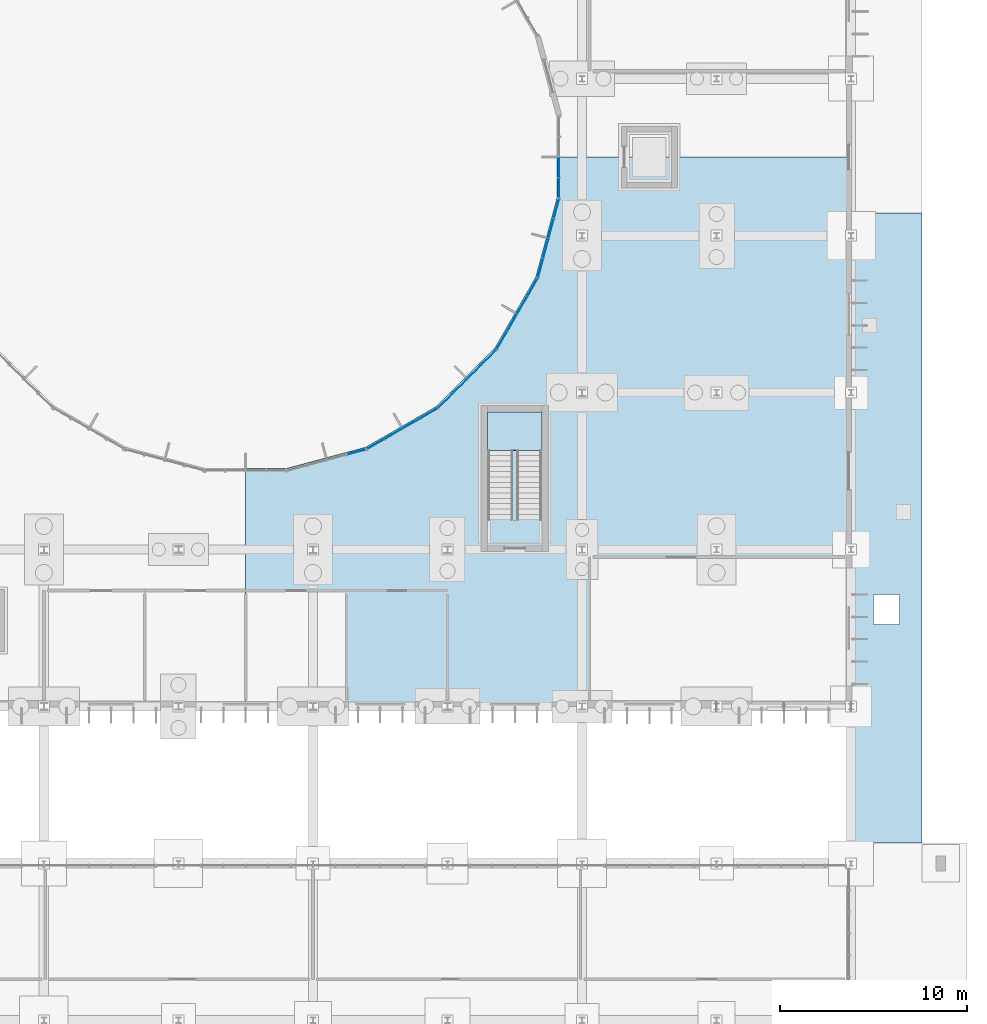
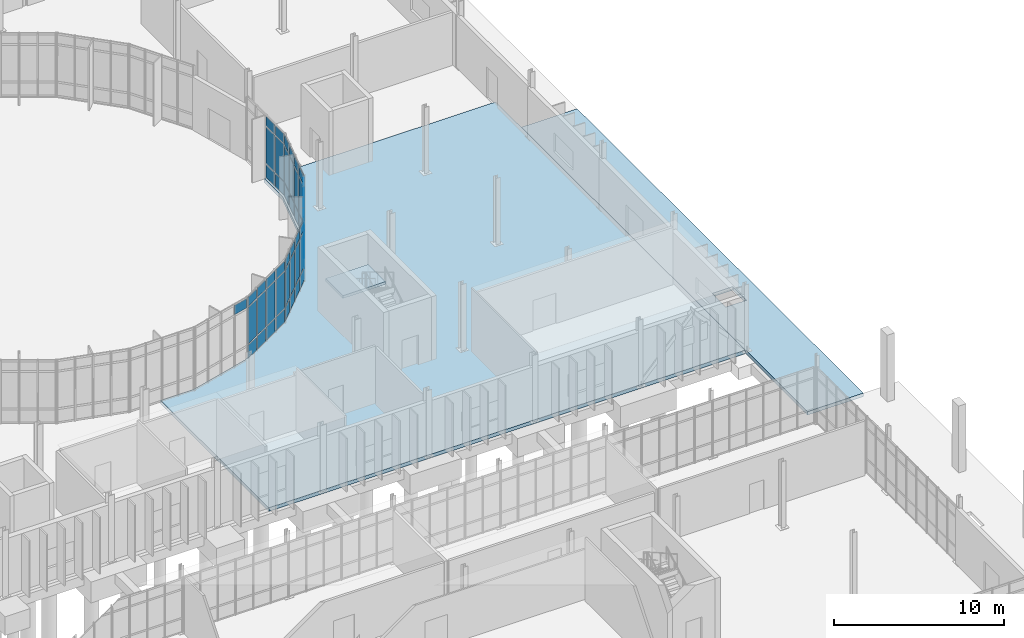
# One storey, part 69 of 118: 55 plates, 3 slabs, 7 elements without a shape of their own.
"""IFC4 building model written with IfcOpenShell, lengths in metres."""

from ifc_helpers import new_model, si_unit, direction, frame, origin, origin_2d, place, context, subcontext, project, spatial, polyline, rectangle, outline, extrude, material, layer, layer_set, type_object, element, aggregate, save


model = new_model("IFC4")

# Units and contexts
model_context = context("Model", 3, precision=1e-05, world=origin(), true_north=direction((0.0, 1.0)))
body_context = subcontext(model_context, "Body", "Model", "MODEL_VIEW")
ifc_project = project(units=[si_unit("LENGTHUNIT", "METRE"), si_unit("AREAUNIT", "SQUARE_METRE"), si_unit("VOLUMEUNIT", "CUBIC_METRE"), si_unit("PLANEANGLEUNIT", "RADIAN"), si_unit("MASSUNIT", "GRAM", prefix="KILO")], contexts=[model_context])

# Site, building, storey
site_placement = place(None, origin())
site = spatial("IfcSite", under=ifc_project, at=site_placement, CompositionType="ELEMENT")
building_placement = place(site_placement, origin())
building = spatial("IfcBuilding", under=site, at=building_placement, Name="Qelthora Terrace Specialist Clinic", CompositionType="ELEMENT")
storey_placement = place(building_placement, origin())
storey = spatial("IfcBuildingStorey", under=building, at=storey_placement, Name="L00", CompositionType="ELEMENT", Elevation=0.0)

# Curtain wall, plate
ifc_material_1 = material(Name="Aluminium anodized bronze", Category="aluminium")
curtain_wall_type = type_object("IfcCurtainWallType", Name="CW-CRTE-L00", PredefinedType="NOTDEFINED", material=ifc_material_1)
curtain_wall_1_placement = place(storey_placement, origin())
curtain_wall_1 = element("IfcCurtainWall", 1, at=curtain_wall_1_placement, inside=storey, type_object=curtain_wall_type, Name="Curtain wall CW-CE-L00-19", PredefinedType="NOTDEFINED")
ifc_material_2 = material(Name="Low-E triple-silver insulating glass", Category="glass")
ifc_layer_1 = layer(ifc_material_2, 0.035888671875)
ifc_layer_set_1 = layer_set([ifc_layer_1], Name="Low-E triple-silver insulating glass")
plate_type = type_object("IfcPlateType", Name="CWP-IGU-36", PredefinedType="CURTAIN_PANEL", material=ifc_layer_set_1)
plate_1_placement = place(storey_placement, frame((131.9306640625, 47.220947265625, 3.7900390625), z_axis=(0.0, 0.0, 1.0), x_axis=(0.965925826289, 0.258819045103, 0.0)))
plate_1 = element("IfcPlate", 2, at=plate_1_placement, type_object=plate_type, Name="CW-CE-L00-19 glazed panel 12", PredefinedType="CURTAIN_PANEL", context=body_context, shape_type="SweptSolid", body=[
    extrude(rectangle(XDim=0.996337890625, YDim=0.035888671875, at=origin_2d()), origin(), (0.0, 0.0, 1.0), 0.669921875),
])
aggregate(curtain_wall_1, [plate_1])

# Curtain wall, plates
curtain_wall_2_placement = place(storey_placement, origin())
curtain_wall_2 = element("IfcCurtainWall", 3, at=curtain_wall_2_placement, inside=storey, type_object=curtain_wall_type, Name="Curtain wall CW-CE-L00-20", PredefinedType="NOTDEFINED")
plate_2_placement = place(storey_placement, frame((132.9638671875, 47.64892578125, 0.0849609375), z_axis=(0.0, 0.0, 1.0), x_axis=(0.866025403784, 0.5, 0.0)))
plate_2 = element("IfcPlate", 4, at=plate_2_placement, type_object=plate_type, Name="CW-CE-L00-20 glazed panel 1", PredefinedType="CURTAIN_PANEL", context=body_context, shape_type="SweptSolid", body=[
    extrude(rectangle(XDim=0.996337890625, YDim=0.035888671875, at=origin_2d()), origin(), (0.0, 0.0, 1.0), 0.919921875),
])
plate_3_placement = place(storey_placement, frame((132.9638671875, 47.64892578125, 1.094970703125), z_axis=(0.0, 0.0, 1.0), x_axis=(0.866025403784, 0.5, 0.0)))
plate_3 = element("IfcPlate", 5, at=plate_3_placement, type_object=plate_type, Name="CW-CE-L00-20 glazed panel 2", PredefinedType="CURTAIN_PANEL", context=body_context, shape_type="SweptSolid", body=[
    extrude(rectangle(XDim=0.996337890625, YDim=0.035888671875, at=origin_2d()), origin(), (0.0, 0.0, 1.0), 2.60498046875),
])
plate_4_placement = place(storey_placement, frame((132.9638671875, 47.64892578125, 3.7900390625), z_axis=(0.0, 0.0, 1.0), x_axis=(0.866025403784, 0.5, 0.0)))
plate_4 = element("IfcPlate", 6, at=plate_4_placement, type_object=plate_type, Name="CW-CE-L00-20 glazed panel 3", PredefinedType="CURTAIN_PANEL", context=body_context, shape_type="SweptSolid", body=[
    extrude(rectangle(XDim=0.996337890625, YDim=0.035888671875, at=origin_2d()), origin(), (0.0, 0.0, 1.0), 0.669921875),
])
plate_5_placement = place(storey_placement, frame((133.913330078125, 48.197265625, 0.0849609375), z_axis=(0.0, 0.0, 1.0), x_axis=(0.866025403784, 0.5, 0.0)))
plate_5 = element("IfcPlate", 7, at=plate_5_placement, type_object=plate_type, Name="CW-CE-L00-20 glazed panel 4", PredefinedType="CURTAIN_PANEL", context=body_context, shape_type="SweptSolid", body=[
    extrude(rectangle(XDim=0.996337890625, YDim=0.035888671875, at=origin_2d()), origin(), (0.0, 0.0, 1.0), 0.919921875),
])
plate_6_placement = place(storey_placement, frame((133.913330078125, 48.197265625, 1.094970703125), z_axis=(0.0, 0.0, 1.0), x_axis=(0.866025403784, 0.5, 0.0)))
plate_6 = element("IfcPlate", 8, at=plate_6_placement, type_object=plate_type, Name="CW-CE-L00-20 glazed panel 5", PredefinedType="CURTAIN_PANEL", context=body_context, shape_type="SweptSolid", body=[
    extrude(rectangle(XDim=0.996337890625, YDim=0.035888671875, at=origin_2d()), origin(), (0.0, 0.0, 1.0), 2.60498046875),
])
plate_7_placement = place(storey_placement, frame((133.913330078125, 48.197265625, 3.7900390625), z_axis=(0.0, 0.0, 1.0), x_axis=(0.866025403784, 0.5, 0.0)))
plate_7 = element("IfcPlate", 9, at=plate_7_placement, type_object=plate_type, Name="CW-CE-L00-20 glazed panel 6", PredefinedType="CURTAIN_PANEL", context=body_context, shape_type="SweptSolid", body=[
    extrude(rectangle(XDim=0.996337890625, YDim=0.035888671875, at=origin_2d()), origin(), (0.0, 0.0, 1.0), 0.669921875),
])
plate_8_placement = place(storey_placement, frame((134.86279296875, 48.745361328125, 0.0849609375), z_axis=(0.0, 0.0, 1.0), x_axis=(0.866025403784, 0.5, 0.0)))
plate_8 = element("IfcPlate", 10, at=plate_8_placement, type_object=plate_type, Name="CW-CE-L00-20 glazed panel 7", PredefinedType="CURTAIN_PANEL", context=body_context, shape_type="SweptSolid", body=[
    extrude(rectangle(XDim=0.996337890625, YDim=0.035888671875, at=origin_2d()), origin(), (0.0, 0.0, 1.0), 0.919921875),
])
plate_9_placement = place(storey_placement, frame((134.86279296875, 48.745361328125, 1.094970703125), z_axis=(0.0, 0.0, 1.0), x_axis=(0.866025403784, 0.5, 0.0)))
plate_9 = element("IfcPlate", 11, at=plate_9_placement, type_object=plate_type, Name="CW-CE-L00-20 glazed panel 8", PredefinedType="CURTAIN_PANEL", context=body_context, shape_type="SweptSolid", body=[
    extrude(rectangle(XDim=0.996337890625, YDim=0.035888671875, at=origin_2d()), origin(), (0.0, 0.0, 1.0), 2.60498046875),
])
plate_10_placement = place(storey_placement, frame((134.86279296875, 48.745361328125, 3.7900390625), z_axis=(0.0, 0.0, 1.0), x_axis=(0.866025403784, 0.5, 0.0)))
plate_10 = element("IfcPlate", 12, at=plate_10_placement, type_object=plate_type, Name="CW-CE-L00-20 glazed panel 9", PredefinedType="CURTAIN_PANEL", context=body_context, shape_type="SweptSolid", body=[
    extrude(rectangle(XDim=0.996337890625, YDim=0.035888671875, at=origin_2d()), origin(), (0.0, 0.0, 1.0), 0.669921875),
])
plate_11_placement = place(storey_placement, frame((135.8125, 49.293701171875, 0.0849609375), z_axis=(0.0, 0.0, 1.0), x_axis=(0.866025403784, 0.5, 0.0)))
plate_11 = element("IfcPlate", 13, at=plate_11_placement, type_object=plate_type, Name="CW-CE-L00-20 glazed panel 10", PredefinedType="CURTAIN_PANEL", context=body_context, shape_type="SweptSolid", body=[
    extrude(rectangle(XDim=0.996337890625, YDim=0.035888671875, at=origin_2d()), origin(), (0.0, 0.0, 1.0), 0.919921875),
])
plate_12_placement = place(storey_placement, frame((135.8125, 49.293701171875, 1.094970703125), z_axis=(0.0, 0.0, 1.0), x_axis=(0.866025403784, 0.5, 0.0)))
plate_12 = element("IfcPlate", 14, at=plate_12_placement, type_object=plate_type, Name="CW-CE-L00-20 glazed panel 11", PredefinedType="CURTAIN_PANEL", context=body_context, shape_type="SweptSolid", body=[
    extrude(rectangle(XDim=0.996337890625, YDim=0.035888671875, at=origin_2d()), origin(), (0.0, 0.0, 1.0), 2.60498046875),
])
plate_13_placement = place(storey_placement, frame((135.8125, 49.293701171875, 3.7900390625), z_axis=(0.0, 0.0, 1.0), x_axis=(0.866025403784, 0.5, 0.0)))
plate_13 = element("IfcPlate", 15, at=plate_13_placement, type_object=plate_type, Name="CW-CE-L00-20 glazed panel 12", PredefinedType="CURTAIN_PANEL", context=body_context, shape_type="SweptSolid", body=[
    extrude(rectangle(XDim=0.996337890625, YDim=0.035888671875, at=origin_2d()), origin(), (0.0, 0.0, 1.0), 0.669921875),
])
aggregate(curtain_wall_2, [plate_2, plate_3, plate_4, plate_5, plate_6, plate_7, plate_8, plate_9, plate_10, plate_11, plate_12, plate_13])

curtain_wall_3_placement = place(storey_placement, origin())
curtain_wall_3 = element("IfcCurtainWall", 16, at=curtain_wall_3_placement, inside=storey, type_object=curtain_wall_type, Name="Curtain wall CW-CE-L00-21", PredefinedType="NOTDEFINED")
plate_14_placement = place(storey_placement, frame((136.69970703125, 49.974365234375, 0.0849609375), z_axis=(0.0, 0.0, 1.0), x_axis=(0.707106781187, 0.707106781187, 0.0)))
plate_14 = element("IfcPlate", 17, at=plate_14_placement, type_object=plate_type, Name="CW-CE-L00-21 glazed panel 1", PredefinedType="CURTAIN_PANEL", context=body_context, shape_type="SweptSolid", body=[
    extrude(rectangle(XDim=0.996337890625, YDim=0.035888671875, at=origin_2d()), origin(), (0.0, 0.0, 1.0), 0.919921875),
])
plate_15_placement = place(storey_placement, frame((136.69970703125, 49.974365234375, 1.094970703125), z_axis=(0.0, 0.0, 1.0), x_axis=(0.707106781187, 0.707106781187, 0.0)))
plate_15 = element("IfcPlate", 18, at=plate_15_placement, type_object=plate_type, Name="CW-CE-L00-21 glazed panel 2", PredefinedType="CURTAIN_PANEL", context=body_context, shape_type="SweptSolid", body=[
    extrude(rectangle(XDim=0.996337890625, YDim=0.035888671875, at=origin_2d()), origin(), (0.0, 0.0, 1.0), 2.60498046875),
])
plate_16_placement = place(storey_placement, frame((136.69970703125, 49.974365234375, 3.7900390625), z_axis=(0.0, 0.0, 1.0), x_axis=(0.707106781187, 0.707106781187, 0.0)))
plate_16 = element("IfcPlate", 19, at=plate_16_placement, type_object=plate_type, Name="CW-CE-L00-21 glazed panel 3", PredefinedType="CURTAIN_PANEL", context=body_context, shape_type="SweptSolid", body=[
    extrude(rectangle(XDim=0.996337890625, YDim=0.035888671875, at=origin_2d()), origin(), (0.0, 0.0, 1.0), 0.669921875),
])
plate_17_placement = place(storey_placement, frame((137.474853515625, 50.749755859375, 0.0849609375), z_axis=(0.0, 0.0, 1.0), x_axis=(0.707106781187, 0.707106781187, 0.0)))
plate_17 = element("IfcPlate", 20, at=plate_17_placement, type_object=plate_type, Name="CW-CE-L00-21 glazed panel 4", PredefinedType="CURTAIN_PANEL", context=body_context, shape_type="SweptSolid", body=[
    extrude(rectangle(XDim=0.996337890625, YDim=0.035888671875, at=origin_2d()), origin(), (0.0, 0.0, 1.0), 0.919921875),
])
plate_18_placement = place(storey_placement, frame((137.474853515625, 50.749755859375, 1.094970703125), z_axis=(0.0, 0.0, 1.0), x_axis=(0.707106781187, 0.707106781187, 0.0)))
plate_18 = element("IfcPlate", 21, at=plate_18_placement, type_object=plate_type, Name="CW-CE-L00-21 glazed panel 5", PredefinedType="CURTAIN_PANEL", context=body_context, shape_type="SweptSolid", body=[
    extrude(rectangle(XDim=0.996337890625, YDim=0.035888671875, at=origin_2d()), origin(), (0.0, 0.0, 1.0), 2.60498046875),
])
plate_19_placement = place(storey_placement, frame((137.474853515625, 50.749755859375, 3.7900390625), z_axis=(0.0, 0.0, 1.0), x_axis=(0.707106781187, 0.707106781187, 0.0)))
plate_19 = element("IfcPlate", 22, at=plate_19_placement, type_object=plate_type, Name="CW-CE-L00-21 glazed panel 6", PredefinedType="CURTAIN_PANEL", context=body_context, shape_type="SweptSolid", body=[
    extrude(rectangle(XDim=0.996337890625, YDim=0.035888671875, at=origin_2d()), origin(), (0.0, 0.0, 1.0), 0.669921875),
])
plate_20_placement = place(storey_placement, frame((138.250244140625, 51.525146484375, 0.0849609375), z_axis=(0.0, 0.0, 1.0), x_axis=(0.707106781187, 0.707106781187, 0.0)))
plate_20 = element("IfcPlate", 23, at=plate_20_placement, type_object=plate_type, Name="CW-CE-L00-21 glazed panel 7", PredefinedType="CURTAIN_PANEL", context=body_context, shape_type="SweptSolid", body=[
    extrude(rectangle(XDim=0.996337890625, YDim=0.035888671875, at=origin_2d()), origin(), (0.0, 0.0, 1.0), 0.919921875),
])
plate_21_placement = place(storey_placement, frame((138.250244140625, 51.525146484375, 1.094970703125), z_axis=(0.0, 0.0, 1.0), x_axis=(0.707106781187, 0.707106781187, 0.0)))
plate_21 = element("IfcPlate", 24, at=plate_21_placement, type_object=plate_type, Name="CW-CE-L00-21 glazed panel 8", PredefinedType="CURTAIN_PANEL", context=body_context, shape_type="SweptSolid", body=[
    extrude(rectangle(XDim=0.996337890625, YDim=0.035888671875, at=origin_2d()), origin(), (0.0, 0.0, 1.0), 2.60498046875),
])
plate_22_placement = place(storey_placement, frame((138.250244140625, 51.525146484375, 3.7900390625), z_axis=(0.0, 0.0, 1.0), x_axis=(0.707106781187, 0.707106781187, 0.0)))
plate_22 = element("IfcPlate", 25, at=plate_22_placement, type_object=plate_type, Name="CW-CE-L00-21 glazed panel 9", PredefinedType="CURTAIN_PANEL", context=body_context, shape_type="SweptSolid", body=[
    extrude(rectangle(XDim=0.996337890625, YDim=0.035888671875, at=origin_2d()), origin(), (0.0, 0.0, 1.0), 0.669921875),
])
plate_23_placement = place(storey_placement, frame((139.025634765625, 52.30029296875, 0.0849609375), z_axis=(0.0, 0.0, 1.0), x_axis=(0.707106781187, 0.707106781187, 0.0)))
plate_23 = element("IfcPlate", 26, at=plate_23_placement, type_object=plate_type, Name="CW-CE-L00-21 glazed panel 10", PredefinedType="CURTAIN_PANEL", context=body_context, shape_type="SweptSolid", body=[
    extrude(rectangle(XDim=0.996337890625, YDim=0.035888671875, at=origin_2d()), origin(), (0.0, 0.0, 1.0), 0.919921875),
])
plate_24_placement = place(storey_placement, frame((139.025634765625, 52.30029296875, 1.094970703125), z_axis=(0.0, 0.0, 1.0), x_axis=(0.707106781187, 0.707106781187, 0.0)))
plate_24 = element("IfcPlate", 27, at=plate_24_placement, type_object=plate_type, Name="CW-CE-L00-21 glazed panel 11", PredefinedType="CURTAIN_PANEL", context=body_context, shape_type="SweptSolid", body=[
    extrude(rectangle(XDim=0.996337890625, YDim=0.035888671875, at=origin_2d()), origin(), (0.0, 0.0, 1.0), 2.60498046875),
])
plate_25_placement = place(storey_placement, frame((139.025634765625, 52.30029296875, 3.7900390625), z_axis=(0.0, 0.0, 1.0), x_axis=(0.707106781187, 0.707106781187, 0.0)))
plate_25 = element("IfcPlate", 28, at=plate_25_placement, type_object=plate_type, Name="CW-CE-L00-21 glazed panel 12", PredefinedType="CURTAIN_PANEL", context=body_context, shape_type="SweptSolid", body=[
    extrude(rectangle(XDim=0.996337890625, YDim=0.035888671875, at=origin_2d()), origin(), (0.0, 0.0, 1.0), 0.669921875),
])
aggregate(curtain_wall_3, [plate_14, plate_15, plate_16, plate_17, plate_18, plate_19, plate_20, plate_21, plate_22, plate_23, plate_24, plate_25])

curtain_wall_4_placement = place(storey_placement, origin())
curtain_wall_4 = element("IfcCurtainWall", 29, at=curtain_wall_4_placement, inside=storey, type_object=curtain_wall_type, Name="Curtain wall CW-CE-L00-22", PredefinedType="NOTDEFINED")
plate_26_placement = place(storey_placement, frame((139.706298828125, 53.1875, 0.0849609375), z_axis=(0.0, 0.0, 1.0), x_axis=(0.5, 0.866025403784, 0.0)))
plate_26 = element("IfcPlate", 30, at=plate_26_placement, type_object=plate_type, Name="CW-CE-L00-22 glazed panel 1", PredefinedType="CURTAIN_PANEL", context=body_context, shape_type="SweptSolid", body=[
    extrude(rectangle(XDim=0.996337890625, YDim=0.035888671875, at=origin_2d()), origin(), (0.0, 0.0, 1.0), 0.919921875),
])
plate_27_placement = place(storey_placement, frame((139.706298828125, 53.1875, 1.094970703125), z_axis=(0.0, 0.0, 1.0), x_axis=(0.5, 0.866025403784, 0.0)))
plate_27 = element("IfcPlate", 31, at=plate_27_placement, type_object=plate_type, Name="CW-CE-L00-22 glazed panel 2", PredefinedType="CURTAIN_PANEL", context=body_context, shape_type="SweptSolid", body=[
    extrude(rectangle(XDim=0.996337890625, YDim=0.035888671875, at=origin_2d()), origin(), (0.0, 0.0, 1.0), 2.60498046875),
])
plate_28_placement = place(storey_placement, frame((139.706298828125, 53.1875, 3.7900390625), z_axis=(0.0, 0.0, 1.0), x_axis=(0.5, 0.866025403784, 0.0)))
plate_28 = element("IfcPlate", 32, at=plate_28_placement, type_object=plate_type, Name="CW-CE-L00-22 glazed panel 3", PredefinedType="CURTAIN_PANEL", context=body_context, shape_type="SweptSolid", body=[
    extrude(rectangle(XDim=0.996337890625, YDim=0.035888671875, at=origin_2d()), origin(), (0.0, 0.0, 1.0), 0.669921875),
])
plate_29_placement = place(storey_placement, frame((140.254638671875, 54.13720703125, 0.0849609375), z_axis=(0.0, 0.0, 1.0), x_axis=(0.5, 0.866025403784, 0.0)))
plate_29 = element("IfcPlate", 33, at=plate_29_placement, type_object=plate_type, Name="CW-CE-L00-22 glazed panel 4", PredefinedType="CURTAIN_PANEL", context=body_context, shape_type="SweptSolid", body=[
    extrude(rectangle(XDim=0.996337890625, YDim=0.035888671875, at=origin_2d()), origin(), (0.0, 0.0, 1.0), 0.919921875),
])
plate_30_placement = place(storey_placement, frame((140.254638671875, 54.13720703125, 1.094970703125), z_axis=(0.0, 0.0, 1.0), x_axis=(0.5, 0.866025403784, 0.0)))
plate_30 = element("IfcPlate", 34, at=plate_30_placement, type_object=plate_type, Name="CW-CE-L00-22 glazed panel 5", PredefinedType="CURTAIN_PANEL", context=body_context, shape_type="SweptSolid", body=[
    extrude(rectangle(XDim=0.996337890625, YDim=0.035888671875, at=origin_2d()), origin(), (0.0, 0.0, 1.0), 2.60498046875),
])
plate_31_placement = place(storey_placement, frame((140.254638671875, 54.13720703125, 3.7900390625), z_axis=(0.0, 0.0, 1.0), x_axis=(0.5, 0.866025403784, 0.0)))
plate_31 = element("IfcPlate", 35, at=plate_31_placement, type_object=plate_type, Name="CW-CE-L00-22 glazed panel 6", PredefinedType="CURTAIN_PANEL", context=body_context, shape_type="SweptSolid", body=[
    extrude(rectangle(XDim=0.996337890625, YDim=0.035888671875, at=origin_2d()), origin(), (0.0, 0.0, 1.0), 0.669921875),
])
plate_32_placement = place(storey_placement, frame((140.802734375, 55.086669921875, 0.0849609375), z_axis=(0.0, 0.0, 1.0), x_axis=(0.5, 0.866025403784, 0.0)))
plate_32 = element("IfcPlate", 36, at=plate_32_placement, type_object=plate_type, Name="CW-CE-L00-22 glazed panel 7", PredefinedType="CURTAIN_PANEL", context=body_context, shape_type="SweptSolid", body=[
    extrude(rectangle(XDim=0.996337890625, YDim=0.035888671875, at=origin_2d()), origin(), (0.0, 0.0, 1.0), 0.919921875),
])
plate_33_placement = place(storey_placement, frame((140.802734375, 55.086669921875, 1.094970703125), z_axis=(0.0, 0.0, 1.0), x_axis=(0.5, 0.866025403784, 0.0)))
plate_33 = element("IfcPlate", 37, at=plate_33_placement, type_object=plate_type, Name="CW-CE-L00-22 glazed panel 8", PredefinedType="CURTAIN_PANEL", context=body_context, shape_type="SweptSolid", body=[
    extrude(rectangle(XDim=0.996337890625, YDim=0.035888671875, at=origin_2d()), origin(), (0.0, 0.0, 1.0), 2.60498046875),
])
plate_34_placement = place(storey_placement, frame((140.802734375, 55.086669921875, 3.7900390625), z_axis=(0.0, 0.0, 1.0), x_axis=(0.5, 0.866025403784, 0.0)))
plate_34 = element("IfcPlate", 38, at=plate_34_placement, type_object=plate_type, Name="CW-CE-L00-22 glazed panel 9", PredefinedType="CURTAIN_PANEL", context=body_context, shape_type="SweptSolid", body=[
    extrude(rectangle(XDim=0.996337890625, YDim=0.035888671875, at=origin_2d()), origin(), (0.0, 0.0, 1.0), 0.669921875),
])
plate_35_placement = place(storey_placement, frame((141.35107421875, 56.0361328125, 0.0849609375), z_axis=(0.0, 0.0, 1.0), x_axis=(0.5, 0.866025403784, 0.0)))
plate_35 = element("IfcPlate", 39, at=plate_35_placement, type_object=plate_type, Name="CW-CE-L00-22 glazed panel 10", PredefinedType="CURTAIN_PANEL", context=body_context, shape_type="SweptSolid", body=[
    extrude(rectangle(XDim=0.996337890625, YDim=0.035888671875, at=origin_2d()), origin(), (0.0, 0.0, 1.0), 0.919921875),
])
plate_36_placement = place(storey_placement, frame((141.35107421875, 56.0361328125, 1.094970703125), z_axis=(0.0, 0.0, 1.0), x_axis=(0.5, 0.866025403784, 0.0)))
plate_36 = element("IfcPlate", 40, at=plate_36_placement, type_object=plate_type, Name="CW-CE-L00-22 glazed panel 11", PredefinedType="CURTAIN_PANEL", context=body_context, shape_type="SweptSolid", body=[
    extrude(rectangle(XDim=0.996337890625, YDim=0.035888671875, at=origin_2d()), origin(), (0.0, 0.0, 1.0), 2.60498046875),
])
plate_37_placement = place(storey_placement, frame((141.35107421875, 56.0361328125, 3.7900390625), z_axis=(0.0, 0.0, 1.0), x_axis=(0.5, 0.866025403784, 0.0)))
plate_37 = element("IfcPlate", 41, at=plate_37_placement, type_object=plate_type, Name="CW-CE-L00-22 glazed panel 12", PredefinedType="CURTAIN_PANEL", context=body_context, shape_type="SweptSolid", body=[
    extrude(rectangle(XDim=0.996337890625, YDim=0.035888671875, at=origin_2d()), origin(), (0.0, 0.0, 1.0), 0.669921875),
])
aggregate(curtain_wall_4, [plate_26, plate_27, plate_28, plate_29, plate_30, plate_31, plate_32, plate_33, plate_34, plate_35, plate_36, plate_37])

curtain_wall_5_placement = place(storey_placement, origin())
curtain_wall_5 = element("IfcCurtainWall", 42, at=curtain_wall_5_placement, inside=storey, type_object=curtain_wall_type, Name="Curtain wall CW-CE-L00-23", PredefinedType="NOTDEFINED")
plate_38_placement = place(storey_placement, frame((141.779052734375, 57.0693359375, 0.0849609375), z_axis=(0.0, 0.0, 1.0), x_axis=(0.258819045103, 0.965925826289, 0.0)))
plate_38 = element("IfcPlate", 43, at=plate_38_placement, type_object=plate_type, Name="CW-CE-L00-23 glazed panel 1", PredefinedType="CURTAIN_PANEL", context=body_context, shape_type="SweptSolid", body=[
    extrude(rectangle(XDim=0.996337890625, YDim=0.035888671875, at=origin_2d()), origin(), (0.0, 0.0, 1.0), 0.919921875),
])
plate_39_placement = place(storey_placement, frame((141.779052734375, 57.0693359375, 1.094970703125), z_axis=(0.0, 0.0, 1.0), x_axis=(0.258819045103, 0.965925826289, 0.0)))
plate_39 = element("IfcPlate", 44, at=plate_39_placement, type_object=plate_type, Name="CW-CE-L00-23 glazed panel 2", PredefinedType="CURTAIN_PANEL", context=body_context, shape_type="SweptSolid", body=[
    extrude(rectangle(XDim=0.996337890625, YDim=0.035888671875, at=origin_2d()), origin(), (0.0, 0.0, 1.0), 2.60498046875),
])
plate_40_placement = place(storey_placement, frame((141.779052734375, 57.0693359375, 3.7900390625), z_axis=(0.0, 0.0, 1.0), x_axis=(0.258819045103, 0.965925826289, 0.0)))
plate_40 = element("IfcPlate", 45, at=plate_40_placement, type_object=plate_type, Name="CW-CE-L00-23 glazed panel 3", PredefinedType="CURTAIN_PANEL", context=body_context, shape_type="SweptSolid", body=[
    extrude(rectangle(XDim=0.996337890625, YDim=0.035888671875, at=origin_2d()), origin(), (0.0, 0.0, 1.0), 0.669921875),
])
plate_41_placement = place(storey_placement, frame((142.062744140625, 58.12841796875, 0.0849609375), z_axis=(0.0, 0.0, 1.0), x_axis=(0.258819045103, 0.965925826289, 0.0)))
plate_41 = element("IfcPlate", 46, at=plate_41_placement, type_object=plate_type, Name="CW-CE-L00-23 glazed panel 4", PredefinedType="CURTAIN_PANEL", context=body_context, shape_type="SweptSolid", body=[
    extrude(rectangle(XDim=0.996337890625, YDim=0.035888671875, at=origin_2d()), origin(), (0.0, 0.0, 1.0), 0.919921875),
])
plate_42_placement = place(storey_placement, frame((142.062744140625, 58.12841796875, 1.094970703125), z_axis=(0.0, 0.0, 1.0), x_axis=(0.258819045103, 0.965925826289, 0.0)))
plate_42 = element("IfcPlate", 47, at=plate_42_placement, type_object=plate_type, Name="CW-CE-L00-23 glazed panel 5", PredefinedType="CURTAIN_PANEL", context=body_context, shape_type="SweptSolid", body=[
    extrude(rectangle(XDim=0.996337890625, YDim=0.035888671875, at=origin_2d()), origin(), (0.0, 0.0, 1.0), 2.60498046875),
])
plate_43_placement = place(storey_placement, frame((142.062744140625, 58.12841796875, 3.7900390625), z_axis=(0.0, 0.0, 1.0), x_axis=(0.258819045103, 0.965925826289, 0.0)))
plate_43 = element("IfcPlate", 48, at=plate_43_placement, type_object=plate_type, Name="CW-CE-L00-23 glazed panel 6", PredefinedType="CURTAIN_PANEL", context=body_context, shape_type="SweptSolid", body=[
    extrude(rectangle(XDim=0.996337890625, YDim=0.035888671875, at=origin_2d()), origin(), (0.0, 0.0, 1.0), 0.669921875),
])
plate_44_placement = place(storey_placement, frame((142.346435546875, 59.1875, 0.0849609375), z_axis=(0.0, 0.0, 1.0), x_axis=(0.258819045103, 0.965925826289, 0.0)))
plate_44 = element("IfcPlate", 49, at=plate_44_placement, type_object=plate_type, Name="CW-CE-L00-23 glazed panel 7", PredefinedType="CURTAIN_PANEL", context=body_context, shape_type="SweptSolid", body=[
    extrude(rectangle(XDim=0.996337890625, YDim=0.035888671875, at=origin_2d()), origin(), (0.0, 0.0, 1.0), 0.919921875),
])
plate_45_placement = place(storey_placement, frame((142.346435546875, 59.1875, 1.094970703125), z_axis=(0.0, 0.0, 1.0), x_axis=(0.258819045103, 0.965925826289, 0.0)))
plate_45 = element("IfcPlate", 50, at=plate_45_placement, type_object=plate_type, Name="CW-CE-L00-23 glazed panel 8", PredefinedType="CURTAIN_PANEL", context=body_context, shape_type="SweptSolid", body=[
    extrude(rectangle(XDim=0.996337890625, YDim=0.035888671875, at=origin_2d()), origin(), (0.0, 0.0, 1.0), 2.60498046875),
])
plate_46_placement = place(storey_placement, frame((142.346435546875, 59.1875, 3.7900390625), z_axis=(0.0, 0.0, 1.0), x_axis=(0.258819045103, 0.965925826289, 0.0)))
plate_46 = element("IfcPlate", 51, at=plate_46_placement, type_object=plate_type, Name="CW-CE-L00-23 glazed panel 9", PredefinedType="CURTAIN_PANEL", context=body_context, shape_type="SweptSolid", body=[
    extrude(rectangle(XDim=0.996337890625, YDim=0.035888671875, at=origin_2d()), origin(), (0.0, 0.0, 1.0), 0.669921875),
])
plate_47_placement = place(storey_placement, frame((142.63037109375, 60.24658203125, 0.0849609375), z_axis=(0.0, 0.0, 1.0), x_axis=(0.258819045103, 0.965925826289, 0.0)))
plate_47 = element("IfcPlate", 52, at=plate_47_placement, type_object=plate_type, Name="CW-CE-L00-23 glazed panel 10", PredefinedType="CURTAIN_PANEL", context=body_context, shape_type="SweptSolid", body=[
    extrude(rectangle(XDim=0.996337890625, YDim=0.035888671875, at=origin_2d()), origin(), (0.0, 0.0, 1.0), 0.919921875),
])
plate_48_placement = place(storey_placement, frame((142.63037109375, 60.24658203125, 1.094970703125), z_axis=(0.0, 0.0, 1.0), x_axis=(0.258819045103, 0.965925826289, 0.0)))
plate_48 = element("IfcPlate", 53, at=plate_48_placement, type_object=plate_type, Name="CW-CE-L00-23 glazed panel 11", PredefinedType="CURTAIN_PANEL", context=body_context, shape_type="SweptSolid", body=[
    extrude(rectangle(XDim=0.996337890625, YDim=0.035888671875, at=origin_2d()), origin(), (0.0, 0.0, 1.0), 2.60498046875),
])
plate_49_placement = place(storey_placement, frame((142.63037109375, 60.24658203125, 3.7900390625), z_axis=(0.0, 0.0, 1.0), x_axis=(0.258819045103, 0.965925826289, 0.0)))
plate_49 = element("IfcPlate", 54, at=plate_49_placement, type_object=plate_type, Name="CW-CE-L00-23 glazed panel 12", PredefinedType="CURTAIN_PANEL", context=body_context, shape_type="SweptSolid", body=[
    extrude(rectangle(XDim=0.996337890625, YDim=0.035888671875, at=origin_2d()), origin(), (0.0, 0.0, 1.0), 0.669921875),
])
aggregate(curtain_wall_5, [plate_38, plate_39, plate_40, plate_41, plate_42, plate_43, plate_44, plate_45, plate_46, plate_47, plate_48, plate_49])

curtain_wall_6_placement = place(storey_placement, origin())
curtain_wall_6 = element("IfcCurtainWall", 55, at=curtain_wall_6_placement, inside=storey, type_object=curtain_wall_type, Name="Curtain wall CW-CE-L00-24", PredefinedType="NOTDEFINED")
plate_50_placement = place(storey_placement, frame((142.7763671875, 61.35546875, 0.0849609375), z_axis=(0.0, 0.0, 1.0), x_axis=(0.0, 1.0, 0.0)))
plate_50 = element("IfcPlate", 56, at=plate_50_placement, type_object=plate_type, Name="CW-CE-L00-24 glazed panel 1", PredefinedType="CURTAIN_PANEL", context=body_context, shape_type="SweptSolid", body=[
    extrude(rectangle(XDim=0.996337890625, YDim=0.035888671875, at=origin_2d()), origin(), (0.0, 0.0, 1.0), 0.919921875),
])
plate_51_placement = place(storey_placement, frame((142.7763671875, 61.35546875, 1.094970703125), z_axis=(0.0, 0.0, 1.0), x_axis=(0.0, 1.0, 0.0)))
plate_51 = element("IfcPlate", 57, at=plate_51_placement, type_object=plate_type, Name="CW-CE-L00-24 glazed panel 2", PredefinedType="CURTAIN_PANEL", context=body_context, shape_type="SweptSolid", body=[
    extrude(rectangle(XDim=0.996337890625, YDim=0.035888671875, at=origin_2d()), origin(), (0.0, 0.0, 1.0), 2.60498046875),
])
plate_52_placement = place(storey_placement, frame((142.7763671875, 61.35546875, 3.7900390625), z_axis=(0.0, 0.0, 1.0), x_axis=(0.0, 1.0, 0.0)))
plate_52 = element("IfcPlate", 58, at=plate_52_placement, type_object=plate_type, Name="CW-CE-L00-24 glazed panel 3", PredefinedType="CURTAIN_PANEL", context=body_context, shape_type="SweptSolid", body=[
    extrude(rectangle(XDim=0.996337890625, YDim=0.035888671875, at=origin_2d()), origin(), (0.0, 0.0, 1.0), 0.669921875),
])
plate_53_placement = place(storey_placement, frame((142.7763671875, 62.451904296875, 0.0849609375), z_axis=(0.0, 0.0, 1.0), x_axis=(0.0, 1.0, 0.0)))
plate_53 = element("IfcPlate", 59, at=plate_53_placement, type_object=plate_type, Name="CW-CE-L00-24 glazed panel 4", PredefinedType="CURTAIN_PANEL", context=body_context, shape_type="SweptSolid", body=[
    extrude(rectangle(XDim=0.996337890625, YDim=0.035888671875, at=origin_2d()), origin(), (0.0, 0.0, 1.0), 0.919921875),
])
plate_54_placement = place(storey_placement, frame((142.7763671875, 62.451904296875, 1.094970703125), z_axis=(0.0, 0.0, 1.0), x_axis=(0.0, 1.0, 0.0)))
plate_54 = element("IfcPlate", 60, at=plate_54_placement, type_object=plate_type, Name="CW-CE-L00-24 glazed panel 5", PredefinedType="CURTAIN_PANEL", context=body_context, shape_type="SweptSolid", body=[
    extrude(rectangle(XDim=0.996337890625, YDim=0.035888671875, at=origin_2d()), origin(), (0.0, 0.0, 1.0), 2.60498046875),
])
plate_55_placement = place(storey_placement, frame((142.7763671875, 62.451904296875, 3.7900390625), z_axis=(0.0, 0.0, 1.0), x_axis=(0.0, 1.0, 0.0)))
plate_55 = element("IfcPlate", 61, at=plate_55_placement, type_object=plate_type, Name="CW-CE-L00-24 glazed panel 6", PredefinedType="CURTAIN_PANEL", context=body_context, shape_type="SweptSolid", body=[
    extrude(rectangle(XDim=0.996337890625, YDim=0.035888671875, at=origin_2d()), origin(), (0.0, 0.0, 1.0), 0.669921875),
])
aggregate(curtain_wall_6, [plate_50, plate_51, plate_52, plate_53, plate_54, plate_55])

# Slab
ifc_material_3 = material(Name="Concrete C30/37", Category="concrete")
ifc_layer_2 = layer(ifc_material_3, 0.260009765625)
ifc_layer_set_2 = layer_set([ifc_layer_2], Name="Concrete C30/37")
slab_type_1 = type_object("IfcSlabType", Name="SLB-BASE-260-C30", PredefinedType="BASESLAB", material=ifc_layer_set_2)
slab_1_placement = place(storey_placement, frame((0.0, 0.0, -0.260009765625)))
element("IfcSlab", 62, at=slab_1_placement, inside=storey, type_object=slab_type_1, Name="L00 V4 slab SLB-L00-V4-2A", PredefinedType="BASESLAB", context=body_context, shape_type="SweptSolid", body=[
    extrude(outline(polyline([(158.39990234375, 33.60009765625), (126.0, 33.60009765625), (126.0, 46.34375), (128.19287109375, 46.34375), (132.42919921875, 47.478759765625), (136.227294921875, 49.671630859375), (139.328369140625, 52.772705078125), (141.521240234375, 56.57080078125), (142.65625, 60.80712890625), (142.65625, 63.0), (158.39990234375, 63.0), (158.39990234375, 33.60009765625)])), origin(), (0.0, 0.0, 1.0), 0.260009765625),
])

# Stair, slab
stair_type = type_object("IfcStairType", Name="STR-175-285", PredefinedType="HALF_TURN_STAIR", material=ifc_material_3)
stair_placement = place(storey_placement, origin())
stair = element("IfcStair", 63, at=stair_placement, inside=storey, type_object=stair_type, Name="L00 Enclosed Exit Stair ST-06", PredefinedType="HALF_TURN_STAIR")
ifc_layer_3 = layer(ifc_material_3, 0.199951171875)
ifc_layer_set_3 = layer_set([ifc_layer_3], Name="Concrete C30/37")
slab_type_2 = type_object("IfcSlabType", Name="SLB-LAND-200-C30", PredefinedType="LANDING", material=ifc_layer_set_3)
slab_2_placement = place(storey_placement, frame((0.0, 0.0, 2.199951171875)))
slab_2 = element("IfcSlab", 64, at=slab_2_placement, type_object=slab_type_2, Name="ST-06 landing 1", PredefinedType="LANDING", context=body_context, shape_type="SweptSolid", body=[
    extrude(outline(polyline([(141.85009765625, 47.304931640625), (141.85009765625, 49.35009765625), (138.949951171875, 49.35009765625), (138.949951171875, 47.304931640625), (141.85009765625, 47.304931640625)])), origin(), (0.0, 0.0, 1.0), 0.199951171875),
])
aggregate(stair, [slab_2])

# Slab
ifc_layer_4 = layer(ifc_material_3, 0.25)
ifc_layer_set_4 = layer_set([ifc_layer_4], Name="Concrete C30/37")
slab_type_3 = type_object("IfcSlabType", Name="SLB-TERR-250-C30", PredefinedType="FLOOR", material=ifc_layer_set_4)
slab_3_placement = place(storey_placement, frame((0.0, 0.0, -0.25)))
element("IfcSlab", 65, at=slab_3_placement, inside=storey, type_object=slab_type_3, Name="L00 V1 slab SLB-L00-EXTE1", PredefinedType="FLOOR", context=body_context, shape_type="SweptSolid", body=[
    extrude(outline(polyline([(158.39990234375, 26.300048828125), (158.39990234375, 60.0), (162.199951171875, 60.0), (162.199951171875, 26.300048828125), (158.39990234375, 26.300048828125)]), holes=[polyline([(159.60009765625, 38.0), (161.0, 38.0), (161.0, 39.60009765625), (159.60009765625, 39.60009765625), (159.60009765625, 38.0)])]), origin(), (0.0, 0.0, 1.0), 0.25),
])

save(model, "model.ifc")
